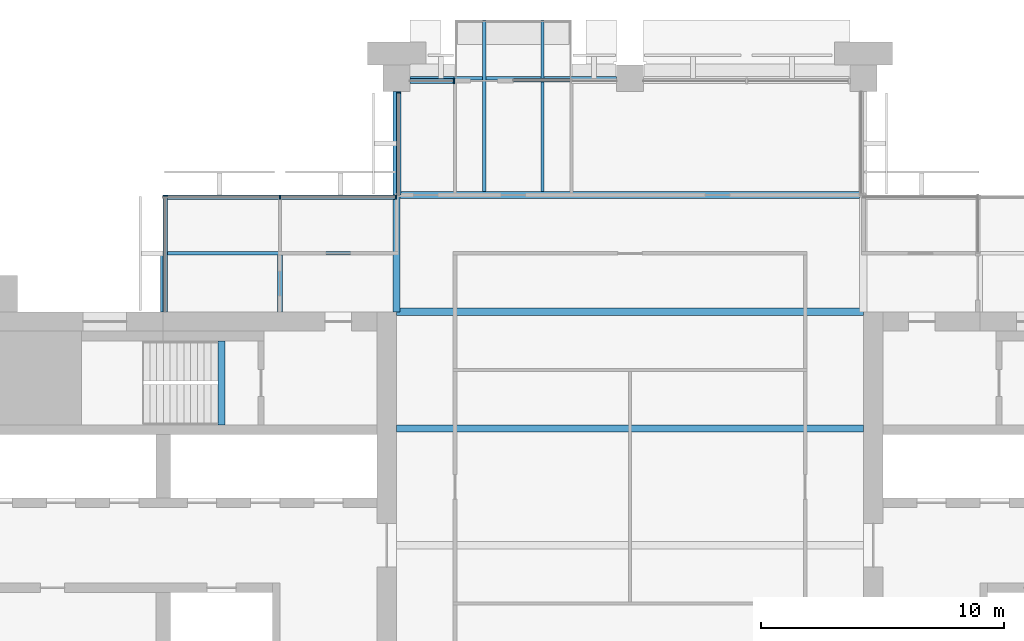
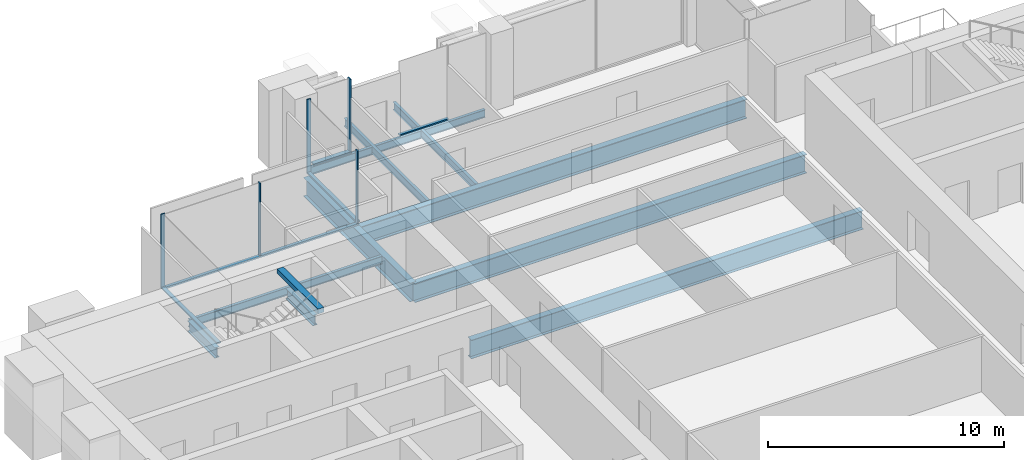
# One storey, part 5 of 14: 13 beams, 10 members, 5 elements without a shape of their own.
"""IFC4 building model written with IfcOpenShell, lengths in metres."""

from ifc_helpers import new_model, si_unit, direction, frame, origin, origin_2d, place, context, subcontext, project, spatial, rectangle, i_section, extrude, material, material_profile, profile_set, type_object, element, aggregate, save


model = new_model("IFC4")

# Units and contexts
model_context = context("Model", 3, precision=1e-05, world=origin(), true_north=direction((0.0, 1.0)))
body_context = subcontext(model_context, "Body", "Model", "MODEL_VIEW")
ifc_project = project(units=[si_unit("LENGTHUNIT", "METRE"), si_unit("AREAUNIT", "SQUARE_METRE"), si_unit("VOLUMEUNIT", "CUBIC_METRE"), si_unit("PLANEANGLEUNIT", "RADIAN"), si_unit("MASSUNIT", "GRAM", prefix="KILO")], contexts=[model_context])

# Site, building, storey
site_placement = place(None, origin())
site = spatial("IfcSite", under=ifc_project, at=site_placement, CompositionType="ELEMENT")
building_placement = place(site_placement, origin())
building = spatial("IfcBuilding", under=site, at=building_placement, Name="Baori Bourse Tower", CompositionType="ELEMENT")
storey_placement = place(building_placement, frame((0.0, 0.0, 257.199951171875)))
storey = spatial("IfcBuildingStorey", under=building, at=storey_placement, Name="L57", CompositionType="ELEMENT", Elevation=257.199951171875)

# Beams
ifc_material_1 = material(Name="Steel A992 Gr 50", Category="steel")
ifc_material_profile_1 = material_profile(ifc_material_1, i_section(OverallWidth=0.140380859375, OverallDepth=0.40380859375, WebThickness=0.007080078125, FlangeThickness=0.01123046875, at=origin_2d()), Name="W16x31")
ifc_profile_set_1 = profile_set([ifc_material_profile_1], Name="Steel A992 Gr 50")
beam_type_1 = type_object("IfcBeamType", Name="Balcony beam W16x31", PredefinedType="BEAM", material=ifc_profile_set_1)
for number, where, z_axis, x_axis, name in (
    (1, (22.800048828125, 50.39990234375, -0.36181640625), (0.0, -1.0, 0.0), (1.0, 0.0, 0.0), "Balcony beam L57"),
    (2, (25.199951171875, 50.39990234375, -0.36181640625), (0.0, -1.0, 0.0), (1.0, 0.0, 0.0), "Balcony beam L57"),
):
    element("IfcBeam", number, at=place(storey_placement, frame(where, z_axis=z_axis, x_axis=x_axis)), inside=storey, type_object=beam_type_1, Name=name, PredefinedType="BEAM", context=body_context, shape_type="SweptSolid", body=[
        extrude(i_section(OverallWidth=0.140380859375, OverallDepth=0.40380859375, WebThickness=0.007080078125, FlangeThickness=0.01123046875, at=origin_2d()), origin(), (0.0, 0.0, 1.0), 7.050048828125),
    ])

# Curtain wall, member
ifc_material_2 = material(Name="Pale anodised aluminium", Category="aluminium")
curtain_wall_type_1 = type_object("IfcCurtainWallType", Name="CW2 Curtain wall", PredefinedType="NOTDEFINED", material=ifc_material_2)
curtain_wall_1_placement = place(storey_placement, origin())
curtain_wall_1 = element("IfcCurtainWall", 3, at=curtain_wall_1_placement, inside=storey, type_object=curtain_wall_type_1, Name="Curtain wall CW2 L57 7", PredefinedType="NOTDEFINED")
ifc_material_3 = material(Name="Pale anodised aluminium", Category="aluminium")
ifc_material_profile_2 = material_profile(ifc_material_3, rectangle(XDim=0.179931640625, YDim=0.054931640625, at=origin_2d()), Name="Mullion 55x180")
ifc_profile_set_2 = profile_set([ifc_material_profile_2], Name="Pale anodised aluminium")
member_type_1 = type_object("IfcMemberType", Name="CW2 Curtain wall mullion", PredefinedType="MULLION", material=ifc_profile_set_2)
member_1_placement = place(storey_placement, frame((19.2900390625, 47.422607421875, 0.070068359375), z_axis=(0.0, 0.0, 1.0), x_axis=(1.0, 0.0, 0.0)))
member_1 = element("IfcMember", 4, at=member_1_placement, type_object=member_type_1, Name="Curtain wall CW2 mullion", PredefinedType="MULLION", context=body_context, shape_type="SweptSolid", body=[
    extrude(rectangle(XDim=0.179931640625, YDim=0.054931640625, at=origin_2d()), origin(), (0.0, 0.0, 1.0), 3.77001953125),
])

# Curtain wall, members
curtain_wall_2_placement = place(storey_placement, origin())
curtain_wall_2 = element("IfcCurtainWall", 5, at=curtain_wall_2_placement, inside=storey, type_object=curtain_wall_type_1, Name="Curtain wall CW2 L57 8", PredefinedType="NOTDEFINED")
member_2_placement = place(storey_placement, frame((19.172607421875, 43.110107421875, 0.070068359375), z_axis=(0.0, 0.0, 1.0), x_axis=(0.0, -1.0, 0.0)))
member_2 = element("IfcMember", 6, at=member_2_placement, type_object=member_type_1, Name="Curtain wall CW2 mullion", PredefinedType="MULLION", context=body_context, shape_type="SweptSolid", body=[
    extrude(rectangle(XDim=0.179931640625, YDim=0.054931640625, at=origin_2d()), origin(), (0.0, 0.0, 1.0), 3.77001953125),
])
member_3_placement = place(storey_placement, frame((14.39990234375, 43.110107421875, 0.070068359375), z_axis=(0.0, 0.0, 1.0), x_axis=(0.0, -1.0, 0.0)))
member_3 = element("IfcMember", 7, at=member_3_placement, type_object=member_type_1, Name="Curtain wall CW2 mullion", PredefinedType="MULLION", context=body_context, shape_type="SweptSolid", body=[
    extrude(rectangle(XDim=0.179931640625, YDim=0.054931640625, at=origin_2d()), origin(), (0.0, 0.0, 1.0), 3.77001953125),
])

# Curtain wall, member
curtain_wall_3_placement = place(storey_placement, origin())
curtain_wall_3 = element("IfcCurtainWall", 8, at=curtain_wall_3_placement, inside=storey, type_object=curtain_wall_type_1, Name="Curtain wall CW2 L57 9", PredefinedType="NOTDEFINED")
member_4_placement = place(storey_placement, frame((9.68994140625, 43.172607421875, 0.070068359375), z_axis=(0.0, 0.0, 1.0), x_axis=(1.0, 0.0, 0.0)))
member_4 = element("IfcMember", 9, at=member_4_placement, type_object=member_type_1, Name="Curtain wall CW2 mullion", PredefinedType="MULLION", context=body_context, shape_type="SweptSolid", body=[
    extrude(rectangle(XDim=0.179931640625, YDim=0.054931640625, at=origin_2d()), origin(), (0.0, 0.0, 1.0), 3.77001953125),
])

# Member
ifc_material_4 = material(Name="Pale anodised aluminium", Category="aluminium")
ifc_material_profile_3 = material_profile(ifc_material_4, rectangle(XDim=0.179931640625, YDim=0.070068359375, at=origin_2d()), Name="Transom 70x180")
ifc_profile_set_3 = profile_set([ifc_material_profile_3], Name="Pale anodised aluminium")
member_type_2 = type_object("IfcMemberType", Name="CW2 Curtain wall transom", PredefinedType="USERDEFINED", material=ifc_profile_set_3)
member_5_placement = place(storey_placement, frame((19.2900390625, 47.449951171875, 0.03515625), z_axis=(0.0, -1.0, 0.0), x_axis=(1.0, 0.0, 0.0)))
member_5 = element("IfcMember", 10, at=member_5_placement, type_object=member_type_2, Name="Curtain wall CW2 sill rail", ObjectType="TRANSOM", PredefinedType="USERDEFINED", context=body_context, shape_type="SweptSolid", body=[
    extrude(rectangle(XDim=0.179931640625, YDim=0.070068359375, at=origin_2d()), origin(), (0.0, 0.0, 1.0), 4.25),
])

aggregate(curtain_wall_1, [member_5, member_1])

member_6_placement = place(storey_placement, frame((19.199951171875, 43.110107421875, 0.03515625), z_axis=(-1.0, 0.0, 0.0), x_axis=(0.0, -1.0, 0.0)))
member_6 = element("IfcMember", 11, at=member_6_placement, type_object=member_type_2, Name="Curtain wall CW2 sill rail", ObjectType="TRANSOM", PredefinedType="USERDEFINED", context=body_context, shape_type="SweptSolid", body=[
    extrude(rectangle(XDim=0.179931640625, YDim=0.070068359375, at=origin_2d()), origin(), (0.0, 0.0, 1.0), 9.599853515625),
])

aggregate(curtain_wall_2, [member_6, member_2, member_3])

member_7_placement = place(storey_placement, frame((9.68994140625, 43.199951171875, 0.03515625), z_axis=(0.0, -1.0, 0.0), x_axis=(1.0, 0.0, 0.0)))
member_7 = element("IfcMember", 12, at=member_7_placement, type_object=member_type_2, Name="Curtain wall CW2 sill rail", ObjectType="TRANSOM", PredefinedType="USERDEFINED", context=body_context, shape_type="SweptSolid", body=[
    extrude(rectangle(XDim=0.179931640625, YDim=0.070068359375, at=origin_2d()), origin(), (0.0, 0.0, 1.0), 4.800048828125),
])

aggregate(curtain_wall_3, [member_7, member_4])

# Curtain wall, members
ifc_material_5 = material(Name="Pale anodised aluminium", Category="aluminium")
curtain_wall_type_2 = type_object("IfcCurtainWallType", Name="CW5 Curtain wall", PredefinedType="NOTDEFINED", material=ifc_material_5)
curtain_wall_4_placement = place(storey_placement, origin())
curtain_wall_4 = element("IfcCurtainWall", 13, at=curtain_wall_4_placement, inside=storey, type_object=curtain_wall_type_2, Name="Curtain wall CW5 L57 6", PredefinedType="NOTDEFINED")
ifc_material_6 = material(Name="Pale anodised aluminium", Category="aluminium")
ifc_material_profile_4 = material_profile(ifc_material_6, rectangle(XDim=0.219970703125, YDim=0.06494140625, at=origin_2d()), Name="Mullion 65x220")
ifc_profile_set_4 = profile_set([ifc_material_profile_4], Name="Pale anodised aluminium")
member_type_3 = type_object("IfcMemberType", Name="CW5 Curtain wall mullion", PredefinedType="MULLION", material=ifc_profile_set_4)
member_8_placement = place(storey_placement, frame((21.5673828125, 47.889892578125, 0.0849609375), z_axis=(0.0, 0.0, 1.0), x_axis=(0.0, -1.0, 0.0)))
member_8 = element("IfcMember", 14, at=member_8_placement, type_object=member_type_3, Name="Curtain wall CW5 mullion", PredefinedType="MULLION", context=body_context, shape_type="SweptSolid", body=[
    extrude(rectangle(XDim=0.219970703125, YDim=0.06494140625, at=origin_2d()), origin(), (0.0, 0.0, 1.0), 3.755126953125),
])
ifc_material_7 = material(Name="Pale anodised aluminium", Category="aluminium")
ifc_material_profile_5 = material_profile(ifc_material_7, rectangle(XDim=0.219970703125, YDim=0.0849609375, at=origin_2d()), Name="Transom 85x220")
ifc_profile_set_5 = profile_set([ifc_material_profile_5], Name="Pale anodised aluminium")
member_type_4 = type_object("IfcMemberType", Name="CW5 Curtain wall transom", PredefinedType="USERDEFINED", material=ifc_profile_set_5)
member_9_placement = place(storey_placement, frame((21.60009765625, 47.889892578125, 0.04248046875), z_axis=(-1.0, 0.0, 0.0), x_axis=(0.0, -1.0, 0.0)))
member_9 = element("IfcMember", 15, at=member_9_placement, type_object=member_type_4, Name="Curtain wall CW5 sill rail", ObjectType="TRANSOM", PredefinedType="USERDEFINED", context=body_context, shape_type="SweptSolid", body=[
    extrude(rectangle(XDim=0.219970703125, YDim=0.0849609375, at=origin_2d()), origin(), (0.0, 0.0, 1.0), 1.85009765625),
])
aggregate(curtain_wall_4, [member_9, member_8])

# Curtain wall, member
ifc_material_8 = material(Name="Pale anodised aluminium", Category="aluminium")
curtain_wall_type_3 = type_object("IfcCurtainWallType", Name="CW6 Curtain wall", PredefinedType="NOTDEFINED", material=ifc_material_8)
curtain_wall_5_placement = place(storey_placement, origin())
curtain_wall_5 = element("IfcCurtainWall", 16, at=curtain_wall_5_placement, inside=storey, type_object=curtain_wall_type_3, Name="Curtain wall CW6 L57 5", PredefinedType="NOTDEFINED")
ifc_material_9 = material(Name="Pale anodised aluminium", Category="aluminium")
ifc_material_profile_6 = material_profile(ifc_material_9, rectangle(XDim=0.14990234375, YDim=0.06494140625, at=origin_2d()), Name="Transom 65x150")
ifc_profile_set_6 = profile_set([ifc_material_profile_6], Name="Pale anodised aluminium")
member_type_5 = type_object("IfcMemberType", Name="CW6 Curtain wall transom", PredefinedType="USERDEFINED", material=ifc_profile_set_6)
member_10_placement = place(storey_placement, frame((26.39990234375, 47.925048828125, 0.032470703125), z_axis=(-1.0, 0.0, 0.0), x_axis=(0.0, -1.0, 0.0)))
member_10 = element("IfcMember", 17, at=member_10_placement, type_object=member_type_5, Name="Curtain wall CW6 sill rail", ObjectType="TRANSOM", PredefinedType="USERDEFINED", context=body_context, shape_type="SweptSolid", body=[
    extrude(rectangle(XDim=0.14990234375, YDim=0.06494140625, at=origin_2d()), origin(), (0.0, 0.0, 1.0), 2.39990234375),
])
aggregate(curtain_wall_5, [member_10])

# Beams
ifc_material_10 = material(Name="Steel A992 Gr 50", Category="steel")
ifc_material_profile_7 = material_profile(ifc_material_10, i_section(OverallWidth=0.21240234375, OverallDepth=0.54345703125, WebThickness=0.01318359375, FlangeThickness=0.021240234375, at=origin_2d()), Name="W21x83")
ifc_profile_set_7 = profile_set([ifc_material_profile_7], Name="Steel A992 Gr 50")
beam_type_2 = type_object("IfcBeamType", Name="Core bracket W21x83", PredefinedType="BEAM", material=ifc_profile_set_7)
for number, where, z_axis, x_axis, name in (
    (18, (9.60009765625, 38.39990234375, -0.431640625), (0.0, 1.0, 0.0), (-1.0, 0.0, 0.0), "Core bracket L57"),
    (19, (14.39990234375, 38.39990234375, -0.431640625), (0.0, 1.0, 0.0), (-1.0, 0.0, 0.0), "Core bracket L57"),
):
    element("IfcBeam", number, at=place(storey_placement, frame(where, z_axis=z_axis, x_axis=x_axis)), inside=storey, type_object=beam_type_2, Name=name, PredefinedType="BEAM", context=body_context, shape_type="SweptSolid", body=[
        extrude(i_section(OverallWidth=0.21240234375, OverallDepth=0.54345703125, WebThickness=0.01318359375, FlangeThickness=0.021240234375, at=origin_2d()), origin(), (0.0, 0.0, 1.0), 2.329833984375),
    ])
ifc_material_11 = material(Name="Steel A992 Gr 50", Category="steel")
ifc_material_profile_8 = material_profile(ifc_material_11, i_section(OverallWidth=0.140380859375, OverallDepth=0.40380859375, WebThickness=0.007080078125, FlangeThickness=0.01123046875, at=origin_2d()), Name="W16x31")
ifc_profile_set_8 = profile_set([ifc_material_profile_8], Name="Steel A992 Gr 50")
beam_type_3 = type_object("IfcBeamType", Name="Edge beam W16x31", PredefinedType="BEAM", material=ifc_profile_set_8)
beam_1_placement = place(storey_placement, frame((19.75, 48.0, -0.36181640625), z_axis=(1.0, 0.0, 0.0), x_axis=(0.0, 1.0, 0.0)))
element("IfcBeam", 20, at=beam_1_placement, inside=storey, type_object=beam_type_3, Name="Edge beam L57", PredefinedType="BEAM", context=body_context, shape_type="SweptSolid", body=[
    extrude(i_section(OverallWidth=0.140380859375, OverallDepth=0.40380859375, WebThickness=0.007080078125, FlangeThickness=0.01123046875, at=origin_2d()), origin(), (0.0, 0.0, 1.0), 2.979736328125),
])
beam_2_placement = place(storey_placement, frame((22.8701171875, 48.0, -0.36181640625), z_axis=(1.0, 0.0, 0.0), x_axis=(0.0, 1.0, 0.0)))
element("IfcBeam", 21, at=beam_2_placement, inside=storey, type_object=beam_type_3, Name="Edge beam L57", PredefinedType="BEAM", context=body_context, shape_type="SweptSolid", body=[
    extrude(i_section(OverallWidth=0.140380859375, OverallDepth=0.40380859375, WebThickness=0.007080078125, FlangeThickness=0.01123046875, at=origin_2d()), origin(), (0.0, 0.0, 1.0), 2.259765625),
])
beam_3_placement = place(storey_placement, frame((25.270263671875, 48.0, -0.36181640625), z_axis=(1.0, 0.0, 0.0), x_axis=(0.0, 1.0, 0.0)))
element("IfcBeam", 22, at=beam_3_placement, inside=storey, type_object=beam_type_3, Name="Edge beam L57", PredefinedType="BEAM", context=body_context, shape_type="SweptSolid", body=[
    extrude(i_section(OverallWidth=0.140380859375, OverallDepth=0.40380859375, WebThickness=0.007080078125, FlangeThickness=0.01123046875, at=origin_2d()), origin(), (0.0, 0.0, 1.0), 2.979736328125),
])
ifc_material_12 = material(Name="Steel A992 Gr 50", Category="steel")
ifc_material_profile_9 = material_profile(ifc_material_12, i_section(OverallWidth=0.2998046875, OverallDepth=0.97021484375, WebThickness=0.01611328125, FlangeThickness=0.02099609375, at=origin_2d()), Name="W40x149")
ifc_profile_set_9 = profile_set([ifc_material_profile_9], Name="Steel A992 Gr 50")
beam_type_4 = type_object("IfcBeamType", Name="Floor beam W40x149", PredefinedType="BEAM", material=ifc_profile_set_9)
for number, where, z_axis, x_axis, name in (
    (23, (19.199951171875, 33.60009765625, -0.64501953125), (1.0, 0.0, 0.0), (0.0, 1.0, 0.0), "Floor beam L57"),
    (24, (19.199951171875, 38.39990234375, -0.64501953125), (1.0, 0.0, 0.0), (0.0, 1.0, 0.0), "Floor beam L57"),
):
    element("IfcBeam", number, at=place(storey_placement, frame(where, z_axis=z_axis, x_axis=x_axis)), inside=storey, type_object=beam_type_4, Name=name, PredefinedType="BEAM", context=body_context, shape_type="SweptSolid", body=[
        extrude(i_section(OverallWidth=0.2998046875, OverallDepth=0.97021484375, WebThickness=0.01611328125, FlangeThickness=0.02099609375, at=origin_2d()), origin(), (0.0, 0.0, 1.0), 19.199951171875),
    ])
ifc_material_13 = material(Name="Steel A992 Gr 50", Category="steel")
ifc_material_profile_10 = material_profile(ifc_material_13, i_section(OverallWidth=0.2998046875, OverallDepth=0.990478515625, WebThickness=0.0166015625, FlangeThickness=0.030517578125, at=origin_2d()), Name="W40x183")
ifc_profile_set_10 = profile_set([ifc_material_profile_10], Name="Steel A992 Gr 50")
beam_type_5 = type_object("IfcBeamType", Name="Floor beam W40x183", PredefinedType="BEAM", material=ifc_profile_set_10)
beam_4_placement = place(storey_placement, frame((19.349853515625, 43.199951171875, -0.6552734375), z_axis=(1.0, 0.0, 0.0), x_axis=(0.0, 1.0, 0.0)))
element("IfcBeam", 25, at=beam_4_placement, inside=storey, type_object=beam_type_5, Name="Floor beam L57", PredefinedType="BEAM", context=body_context, shape_type="SweptSolid", body=[
    extrude(i_section(OverallWidth=0.2998046875, OverallDepth=0.990478515625, WebThickness=0.0166015625, FlangeThickness=0.030517578125, at=origin_2d()), origin(), (0.0, 0.0, 1.0), 18.897705078125),
])
ifc_material_14 = material(Name="Steel A992 Gr 50", Category="steel")
ifc_material_profile_11 = material_profile(ifc_material_14, i_section(OverallWidth=0.2998046875, OverallDepth=0.97021484375, WebThickness=0.01611328125, FlangeThickness=0.02099609375, at=origin_2d()), Name="W40x149")
ifc_profile_set_11 = profile_set([ifc_material_profile_11], Name="Steel A992 Gr 50")
beam_type_6 = type_object("IfcBeamType", Name="Girder W40x149", PredefinedType="BEAM", material=ifc_profile_set_11)
beam_5_placement = place(storey_placement, frame((19.199951171875, 38.39990234375, -0.64501953125), z_axis=(0.0, 1.0, 0.0), x_axis=(-1.0, 0.0, 0.0)))
element("IfcBeam", 26, at=beam_5_placement, inside=storey, type_object=beam_type_6, Name="Girder L57", PredefinedType="BEAM", context=body_context, shape_type="SweptSolid", body=[
    extrude(i_section(OverallWidth=0.2998046875, OverallDepth=0.97021484375, WebThickness=0.01611328125, FlangeThickness=0.02099609375, at=origin_2d()), origin(), (0.0, 0.0, 1.0), 9.050048828125),
])
ifc_material_15 = material(Name="Concrete f'c 50 MPa", Category="concrete")
ifc_material_profile_12 = material_profile(ifc_material_15, rectangle(XDim=0.300048828125, YDim=0.25, at=origin_2d()), Name="RC 300x250")
ifc_profile_set_12 = profile_set([ifc_material_profile_12], Name="Concrete f'c 50 MPa")
beam_type_7 = type_object("IfcBeamType", Name="Stair nib beam RC 300x250", PredefinedType="BEAM", material=ifc_profile_set_12)
beam_6_placement = place(storey_placement, frame((12.0, 33.75, 3.715087890625), z_axis=(0.0, 1.0, 0.0), x_axis=(-1.0, 0.0, 0.0)))
element("IfcBeam", 27, at=beam_6_placement, inside=storey, type_object=beam_type_7, Name="Stair WB nib beam L58", PredefinedType="BEAM", context=body_context, shape_type="SweptSolid", body=[
    extrude(rectangle(XDim=0.300048828125, YDim=0.25, at=origin_2d()), origin(), (0.0, 0.0, 1.0), 3.449951171875),
])
ifc_material_16 = material(Name="Steel A992 Gr 50", Category="steel")
ifc_material_profile_13 = material_profile(ifc_material_16, i_section(OverallWidth=0.140380859375, OverallDepth=0.40380859375, WebThickness=0.007080078125, FlangeThickness=0.01123046875, at=origin_2d()), Name="W16x31")
ifc_profile_set_13 = profile_set([ifc_material_profile_13], Name="Steel A992 Gr 50")
beam_type_8 = type_object("IfcBeamType", Name="Trimmer beam W16x31", PredefinedType="BEAM", material=ifc_profile_set_13)
beam_7_placement = place(storey_placement, frame((9.60009765625, 40.800048828125, -0.36181640625), z_axis=(1.0, 0.0, 0.0), x_axis=(0.0, 1.0, 0.0)))
element("IfcBeam", 28, at=beam_7_placement, inside=storey, type_object=beam_type_8, Name="Trimmer beam L57", PredefinedType="BEAM", context=body_context, shape_type="SweptSolid", body=[
    extrude(i_section(OverallWidth=0.140380859375, OverallDepth=0.40380859375, WebThickness=0.007080078125, FlangeThickness=0.01123046875, at=origin_2d()), origin(), (0.0, 0.0, 1.0), 9.449951171875),
])

save(model, "model.ifc")
